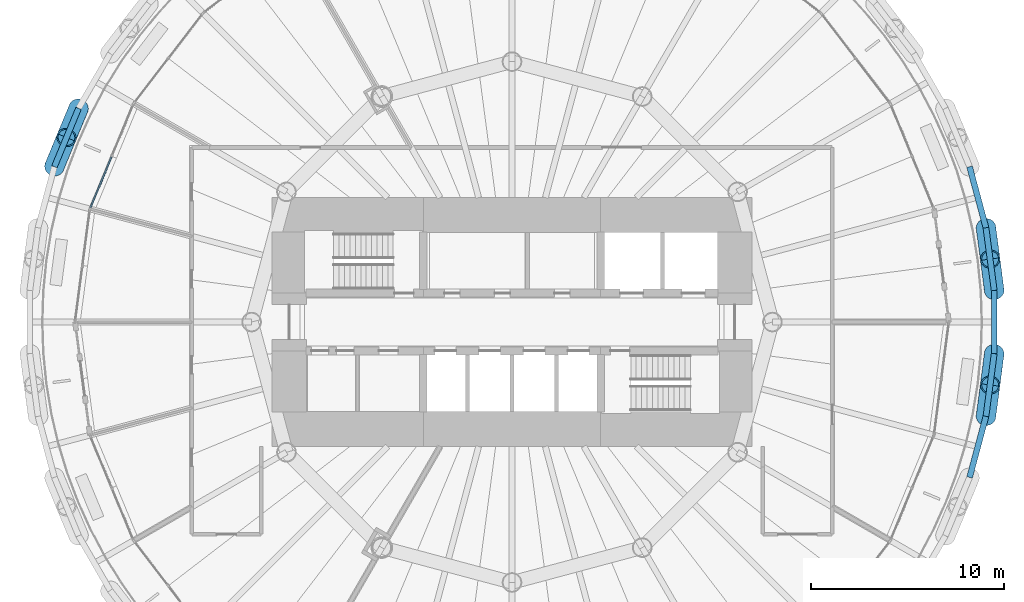
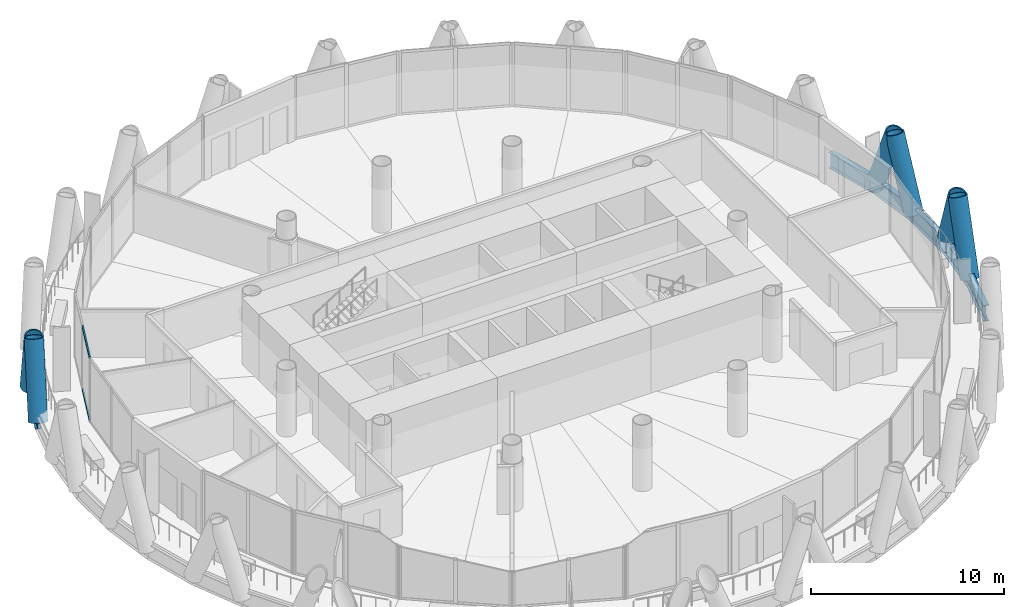
# One storey, part 5 of 15: 8 members, 6 beams, 1 element without a shape of its own.
"""IFC4 building model written with IfcOpenShell, lengths in metres."""

from ifc_helpers import new_model, si_unit, direction, frame, origin, origin_2d, place, context, subcontext, project, spatial, rectangle, hollow_circle, i_section, extrude, material, material_profile, profile_set, type_object, element, aggregate, save


model = new_model("IFC4")

# Units and contexts
model_context = context("Model", 3, precision=1e-05, world=origin(), true_north=direction((0.0, 1.0)))
body_context = subcontext(model_context, "Body", "Model", "MODEL_VIEW")
ifc_project = project(units=[si_unit("LENGTHUNIT", "METRE"), si_unit("AREAUNIT", "SQUARE_METRE"), si_unit("VOLUMEUNIT", "CUBIC_METRE"), si_unit("PLANEANGLEUNIT", "RADIAN"), si_unit("MASSUNIT", "GRAM", prefix="KILO")], contexts=[model_context])

# Site, building, storey
site_placement = place(None, origin())
site = spatial("IfcSite", under=ifc_project, at=site_placement, CompositionType="ELEMENT")
building_placement = place(site_placement, origin())
building = spatial("IfcBuilding", under=site, at=building_placement, Name="Qaws Media Tower", CompositionType="ELEMENT")
storey_placement = place(building_placement, frame((0.0, 0.0, 131.0)))
storey = spatial("IfcBuildingStorey", under=building, at=storey_placement, Name="L29", CompositionType="ELEMENT", Elevation=131.0)

# Curtain wall, members
ifc_material_1 = material(Name="Aluminium and clear glass", Category="aluminium")
curtain_wall_type = type_object("IfcCurtainWallType", Name="Unitised curtain wall CW-B", PredefinedType="NOTDEFINED", material=ifc_material_1)
curtain_wall_placement = place(storey_placement, origin())
curtain_wall = element("IfcCurtainWall", 1, at=curtain_wall_placement, inside=storey, type_object=curtain_wall_type, Name="CWB curtain wall L29-11", PredefinedType="NOTDEFINED")
ifc_material_2 = material(Name="Aluminium transom", Category="aluminium")
ifc_material_profile_1 = material_profile(ifc_material_2, rectangle(XDim=0.080078125, YDim=0.159912109375, at=origin_2d()), Name="80x160")
ifc_profile_set_1 = profile_set([ifc_material_profile_1], Name="Aluminium transom")
member_type_1 = type_object("IfcMemberType", Name="Curtain wall transom 80x160", PredefinedType="USERDEFINED", material=ifc_profile_set_1)
member_1_placement = place(storey_placement, frame((39.23779296875, 58.556640625, 0.0400390625), z_axis=(-0.382701494265, -0.92387205082, 0.0), x_axis=(0.92387205082, -0.382701494265, 0.0)))
member_1 = element("IfcMember", 2, at=member_1_placement, type_object=member_type_1, Name="CWB transom 2.1", ObjectType="TRANSOM", PredefinedType="USERDEFINED", context=body_context, shape_type="SweptSolid", body=[
    extrude(rectangle(XDim=0.080078125, YDim=0.159912109375, at=origin_2d()), origin(), (0.0, 0.0, 1.0), 2.836181640625),
])
member_2_placement = place(storey_placement, frame((39.23779296875, 58.556640625, 4.0), z_axis=(-0.382701494265, -0.92387205082, 0.0), x_axis=(0.92387205082, -0.382701494265, 0.0)))
member_2 = element("IfcMember", 3, at=member_2_placement, type_object=member_type_1, Name="CWB transom 2.2", ObjectType="TRANSOM", PredefinedType="USERDEFINED", context=body_context, shape_type="SweptSolid", body=[
    extrude(rectangle(XDim=0.080078125, YDim=0.159912109375, at=origin_2d()), origin(), (0.0, 0.0, 1.0), 2.836181640625),
])
aggregate(curtain_wall, [member_1, member_2])

# Members
ifc_material_3 = material(Name="Steel S460", Category="steel")
ifc_material_profile_2 = material_profile(ifc_material_3, hollow_circle(Radius=0.508056640625, WallThickness=0.070068359375, at=origin_2d()), Name="CHS 1016x70")
ifc_profile_set_2 = profile_set([ifc_material_profile_2], Name="Steel S460")
member_type_2 = type_object("IfcMemberType", Name="Diagrid member CHS 1016x70", PredefinedType="USERDEFINED", material=ifc_profile_set_2)
for number, where, z_axis, x_axis, name in (
    (4, (84.996337890625, 51.638427734375, -0.6640625), (-0.046627572138, 0.360402430408, 0.931630805455), (-0.991734491541, -0.128307046915, 0.0), "DG3 diagrid L29 A01"),
    (5, (84.996337890625, 48.361572265625, -0.6640625), (-0.046627572138, -0.360402430408, 0.931630805455), (0.991734491541, -0.128307046915, 0.0), "DG3 diagrid L29 B01"),
    (6, (84.568603515625, 54.886962890625, -0.6640625), (0.048252273202, -0.360186160571, 0.931631712569), (0.991145715251, 0.132778654682, 0.0), "DG3 diagrid L29 B02"),
):
    element("IfcMember", number, at=place(storey_placement, frame(where, z_axis=z_axis, x_axis=x_axis)), inside=storey, type_object=member_type_2, Name=name, ObjectType="DIAGRID", PredefinedType="USERDEFINED", context=body_context, shape_type="SweptSolid", body=[
        extrude(hollow_circle(Radius=0.508056640625, WallThickness=0.070068359375, at=origin_2d()), origin(), (0.0, 0.0, 1.0), 4.508056640625),
    ])
for number, where, z_axis, x_axis, name in (
    (7, (37.533447265625, 61.079345703125, -0.6640625), (-0.139828148324, -0.335435922045, 0.931628054074), (0.923015187913, -0.38476351553, 0.0), "DG3 diagrid L29 A11"),
    (8, (36.279296875, 58.052001953125, -0.6640625), (0.13836391455, 0.336080803796, 0.931614255188), (-0.924699697711, 0.380697345738, 0.0), "DG3 diagrid L29 B12"),
):
    element("IfcMember", number, at=place(storey_placement, frame(where, z_axis=z_axis, x_axis=x_axis)), inside=storey, type_object=member_type_2, Name=name, ObjectType="DIAGRID", PredefinedType="USERDEFINED", context=body_context, shape_type="SweptSolid", body=[
        extrude(hollow_circle(Radius=0.508056640625, WallThickness=0.070068359375, at=origin_2d()), origin(), (0.0, 0.0, 1.0), 4.50830078125),
    ])
member_3_placement = place(storey_placement, frame((84.568603515625, 45.113037109375, -0.6640625), z_axis=(0.048252273202, 0.360186160571, 0.931631712569), x_axis=(-0.991145715251, 0.132778654682, 0.0)))
element("IfcMember", 9, at=member_3_placement, inside=storey, type_object=member_type_2, Name="DG3 diagrid L29 A24", ObjectType="DIAGRID", PredefinedType="USERDEFINED", context=body_context, shape_type="SweptSolid", body=[
    extrude(hollow_circle(Radius=0.508056640625, WallThickness=0.070068359375, at=origin_2d()), origin(), (0.0, 0.0, 1.0), 4.508056640625),
])

# Beams
ifc_material_4 = material(Name="Steel S460", Category="steel")
ifc_material_profile_3 = material_profile(ifc_material_4, i_section(OverallWidth=0.302001953125, OverallDepth=1.008056640625, WebThickness=0.02099609375, FlangeThickness=0.0400390625, FilletRadius=0.030029296875, at=origin_2d()), Name="HE 1000 M")
ifc_profile_set_3 = profile_set([ifc_material_profile_3], Name="Steel S460")
beam_type = type_object("IfcBeamType", Name="Edge ring beam HE 1000 M", PredefinedType="BEAM", material=ifc_profile_set_3)
for number, where, z_axis, x_axis, name in (
    (10, (84.996337890625, 51.638427734375, -0.6640625), (-0.130543174494, 0.991442625467, 0.0), (-0.991442625467, -0.130543174494, 0.0), "RB3 edge ring beam L29-01"),
    (11, (84.568603515625, 54.886962890625, -0.6640625), (-0.258770845724, 0.965938739985, 0.0), (-0.965938739985, -0.258770845724, 0.0), "RB3 edge ring beam L29-02"),
):
    element("IfcBeam", number, at=place(storey_placement, frame(where, z_axis=z_axis, x_axis=x_axis)), inside=storey, type_object=beam_type, Name=name, PredefinedType="BEAM", context=body_context, shape_type="SweptSolid", body=[
        extrude(i_section(OverallWidth=0.302001953125, OverallDepth=1.008056640625, WebThickness=0.02099609375, FlangeThickness=0.0400390625, FilletRadius=0.030029296875, at=origin_2d()), origin(), (0.0, 0.0, 1.0), 3.276611328125),
    ])
beam_1_placement = place(storey_placement, frame((37.533447265625, 61.079345703125, -0.6640625), z_axis=(-0.382731243391, -0.923859727087, 0.0), x_axis=(0.923859727087, -0.382731243391, 0.0)))
element("IfcBeam", 12, at=beam_1_placement, inside=storey, type_object=beam_type, Name="RB3 edge ring beam L29-21", PredefinedType="BEAM", context=body_context, shape_type="SweptSolid", body=[
    extrude(i_section(OverallWidth=0.302001953125, OverallDepth=1.008056640625, WebThickness=0.02099609375, FlangeThickness=0.0400390625, FilletRadius=0.030029296875, at=origin_2d()), origin(), (0.0, 0.0, 1.0), 3.27685546875),
])
for number, where, z_axis, x_axis, name in (
    (13, (83.720703125, 41.947998046875, -0.6640625), (0.258770845724, 0.965938739985, 0.0), (-0.965938739985, 0.258770845724, 0.0), "RB3 edge ring beam L29-46"),
    (14, (84.568603515625, 45.113037109375, -0.6640625), (0.130543174494, 0.991442625467, 0.0), (-0.991442625467, 0.130543174494, 0.0), "RB3 edge ring beam L29-47"),
):
    element("IfcBeam", number, at=place(storey_placement, frame(where, z_axis=z_axis, x_axis=x_axis)), inside=storey, type_object=beam_type, Name=name, PredefinedType="BEAM", context=body_context, shape_type="SweptSolid", body=[
        extrude(i_section(OverallWidth=0.302001953125, OverallDepth=1.008056640625, WebThickness=0.02099609375, FlangeThickness=0.0400390625, FilletRadius=0.030029296875, at=origin_2d()), origin(), (0.0, 0.0, 1.0), 3.276611328125),
    ])
beam_2_placement = place(storey_placement, frame((84.996337890625, 48.361572265625, -0.6640625), z_axis=(0.0, 1.0, 0.0), x_axis=(-1.0, 0.0, 0.0)))
element("IfcBeam", 15, at=beam_2_placement, inside=storey, type_object=beam_type, Name="RB3 edge ring beam L29-48", PredefinedType="BEAM", context=body_context, shape_type="SweptSolid", body=[
    extrude(i_section(OverallWidth=0.302001953125, OverallDepth=1.008056640625, WebThickness=0.02099609375, FlangeThickness=0.0400390625, FilletRadius=0.030029296875, at=origin_2d()), origin(), (0.0, 0.0, 1.0), 3.27685546875),
])

save(model, "model.ifc")
